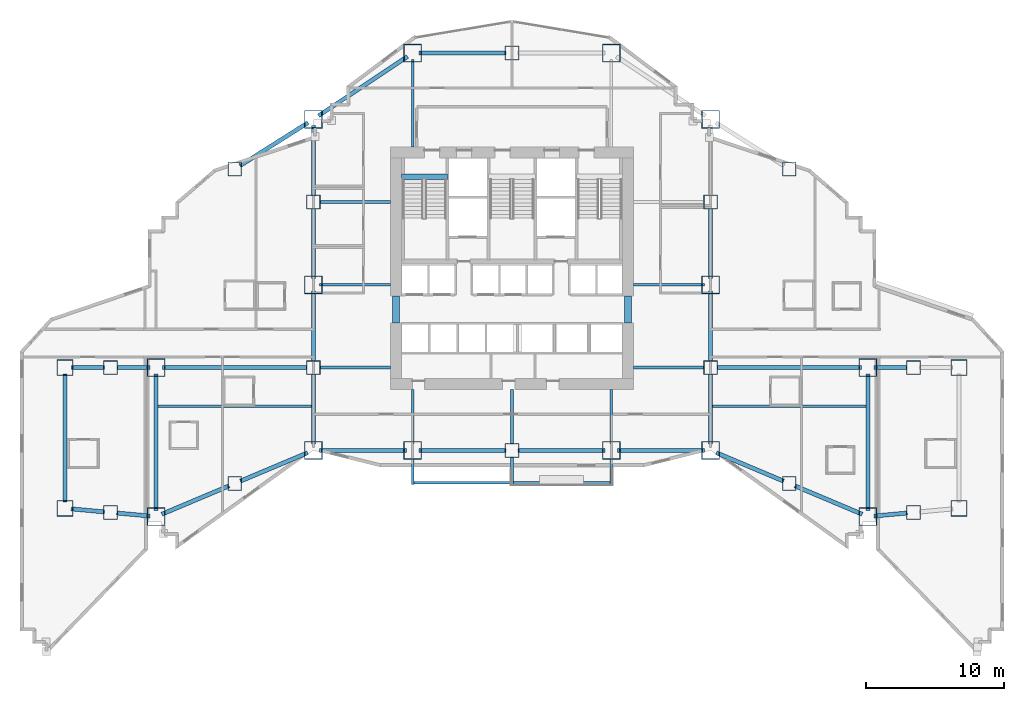
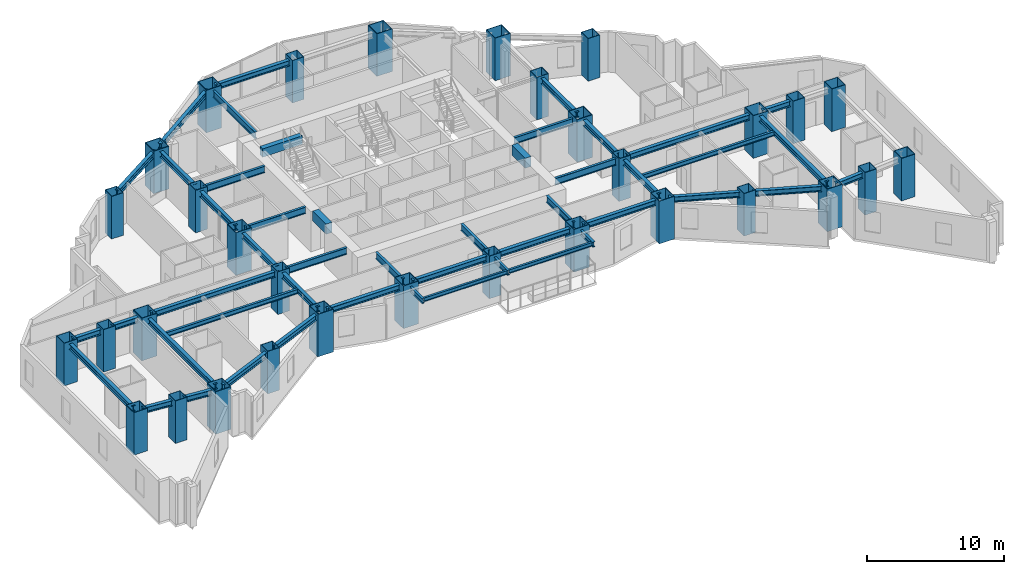
# One storey, part 1 of 17: 48 beams, 32 columns.
"""IFC4 building model written with IfcOpenShell, lengths in metres."""

from ifc_helpers import new_model, si_unit, direction, frame, origin, origin_2d, place, context, subcontext, project, spatial, rectangle, hollow_rectangle, i_section, extrude, material, material_profile, profile_set, type_object, element, save


model = new_model("IFC4")

# Units and contexts
model_context = context("Model", 3, precision=1e-05, world=origin(), true_north=direction((0.0, 1.0)))
body_context = subcontext(model_context, "Body", "Model", "MODEL_VIEW")
ifc_project = project(units=[si_unit("LENGTHUNIT", "METRE"), si_unit("AREAUNIT", "SQUARE_METRE"), si_unit("VOLUMEUNIT", "CUBIC_METRE"), si_unit("PLANEANGLEUNIT", "RADIAN"), si_unit("MASSUNIT", "GRAM", prefix="KILO")], contexts=[model_context])

# Site, building, storey
site_placement = place(None, origin())
site = spatial("IfcSite", under=ifc_project, at=site_placement, CompositionType="ELEMENT")
building_placement = place(site_placement, origin())
building = spatial("IfcBuilding", under=site, at=building_placement, Name="Haolan Belvedere Tower", CompositionType="ELEMENT")
storey_placement = place(building_placement, frame((0.0, 0.0, 35.39990234375)))
storey = spatial("IfcBuildingStorey", under=building, at=storey_placement, Name="L08", CompositionType="ELEMENT", Elevation=35.39990234375)

# Columns
ifc_material_1 = material(Name="Steel Q420GJC", Category="steel")
ifc_material_profile_1 = material_profile(ifc_material_1, hollow_rectangle(XDim=1.0, YDim=1.0, WallThickness=0.0380859375, at=origin_2d()), Name="Steel Q420GJC")
ifc_profile_set_1 = profile_set([ifc_material_profile_1], Name="Steel Q420GJC")
column_type_1 = type_object("IfcColumnType", Name="COL-BOX1000x1000x38", PredefinedType="COLUMN", material=ifc_profile_set_1)
for number, where, z_axis, x_axis, name in (
    (1, (24.0, 27.60009765625, 0.0), (0.0, 0.0, 1.0), (1.0, 0.0, 0.0), "L08 column TC-T3-W1 (BOX1000x1000x38)"),
    (2, (24.0, 39.60009765625, 0.0), (0.0, 0.0, 1.0), (1.0, 0.0, 0.0), "L08 column TC-T3-W2 (BOX1000x1000x38)"),
    (3, (52.800048828125, 27.60009765625, 0.0), (0.0, 0.0, 1.0), (1.0, 0.0, 0.0), "L08 column TC-T3-E1 (BOX1000x1000x38)"),
    (4, (52.800048828125, 39.60009765625, 0.0), (0.0, 0.0, 1.0), (1.0, 0.0, 0.0), "L08 column TC-T3-E2 (BOX1000x1000x38)"),
    (5, (38.39990234375, 21.60009765625, 0.0), (0.0, 0.0, 1.0), (1.0, 0.0, 0.0), "L08 column TC-T3-SM (BOX1000x1000x38)"),
    (6, (38.39990234375, 50.39990234375, 0.0), (0.0, 0.0, 1.0), (1.0, 0.0, 0.0), "L08 column TC-T3-NM (BOX1000x1000x38)"),
    (7, (18.300048828125, 19.199951171875, 0.0), (0.0, 0.0, 1.0), (1.0, 0.0, 0.0), "L08 column TC-T2-S1 (BOX1000x1000x38)"),
    (8, (18.300048828125, 42.0, 0.0), (0.0, 0.0, 1.0), (1.0, 0.0, 0.0), "L08 column TC-T2-N1 (BOX1000x1000x38)"),
    (9, (58.5, 19.199951171875, 0.0), (0.0, 0.0, 1.0), (1.0, 0.0, 0.0), "L08 column TC-T4-S1 (BOX1000x1000x38)"),
    (10, (58.5, 42.0, 0.0), (0.0, 0.0, 1.0), (1.0, 0.0, 0.0), "L08 column TC-T4-N1 (BOX1000x1000x38)"),
    (11, (9.300048828125, 17.10009765625, 0.0), (0.0, 0.0, 1.0), (1.0, 0.0, 0.0), "L08 column TC-T1-M1 (BOX1000x1000x38)"),
    (12, (9.300048828125, 27.60009765625, 0.0), (0.0, 0.0, 1.0), (1.0, 0.0, 0.0), "L08 column TC-T1-M2 (BOX1000x1000x38)"),
    (13, (67.5, 17.10009765625, 0.0), (0.0, 0.0, 1.0), (1.0, 0.0, 0.0), "L08 column TC-T5-M1 (BOX1000x1000x38)"),
    (14, (67.5, 27.60009765625, 0.0), (0.0, 0.0, 1.0), (1.0, 0.0, 0.0), "L08 column TC-T5-M2 (BOX1000x1000x38)"),
):
    element("IfcColumn", number, at=place(storey_placement, frame(where, z_axis=z_axis, x_axis=x_axis)), inside=storey, type_object=column_type_1, Name=name, PredefinedType="COLUMN", context=body_context, shape_type="SweptSolid", body=[
        extrude(hollow_rectangle(XDim=1.0, YDim=1.0, WallThickness=0.0380859375, at=origin_2d()), origin(), (0.0, 0.0, 1.0), 3.800048828125),
    ])
ifc_material_2 = material(Name="Steel Q355B", Category="steel")
ifc_material_profile_2 = material_profile(ifc_material_2, hollow_rectangle(XDim=1.14990234375, YDim=1.14990234375, WallThickness=0.0419921875, at=origin_2d()), Name="Steel Q355B")
ifc_profile_set_2 = profile_set([ifc_material_profile_2], Name="Steel Q355B")
column_type_2 = type_object("IfcColumnType", Name="COL-BOX1150x1150x42", PredefinedType="COLUMN", material=ifc_profile_set_2)
for number, where, z_axis, x_axis, name in (
    (15, (6.0, 17.39990234375, 0.0), (0.0, 0.0, 1.0), (1.0, 0.0, 0.0), "L08 column MC-T1-SW (BOX1150x1150x42)"),
    (16, (6.0, 27.60009765625, 0.0), (0.0, 0.0, 1.0), (1.0, 0.0, 0.0), "L08 column MC-T1-NW (BOX1150x1150x42)"),
    (17, (70.800048828125, 17.39990234375, 0.0), (0.0, 0.0, 1.0), (1.0, 0.0, 0.0), "L08 column MC-T5-SE (BOX1150x1150x42)"),
    (18, (70.800048828125, 27.60009765625, 0.0), (0.0, 0.0, 1.0), (1.0, 0.0, 0.0), "L08 column MC-T5-NE (BOX1150x1150x42)"),
):
    element("IfcColumn", number, at=place(storey_placement, frame(where, z_axis=z_axis, x_axis=x_axis)), inside=storey, type_object=column_type_2, Name=name, PredefinedType="COLUMN", context=body_context, shape_type="SweptSolid", body=[
        extrude(hollow_rectangle(XDim=1.14990234375, YDim=1.14990234375, WallThickness=0.0419921875, at=origin_2d()), origin(), (0.0, 0.0, 1.0), 3.800048828125),
    ])
ifc_material_profile_3 = material_profile(ifc_material_2, hollow_rectangle(XDim=1.300048828125, YDim=1.300048828125, WallThickness=0.048095703125, at=origin_2d()), Name="Steel Q355B")
ifc_profile_set_3 = profile_set([ifc_material_profile_3], Name="Steel Q355B")
column_type_3 = type_object("IfcColumnType", Name="COL-BOX1300x1300x48", PredefinedType="COLUMN", material=ifc_profile_set_3)
for number, where, z_axis, x_axis, name in (
    (19, (24.0, 21.60009765625, 0.0), (0.0, 0.0, 1.0), (1.0, 0.0, 0.0), "L08 column MC-T3-SW (BOX1300x1300x48)"),
    (20, (24.0, 33.60009765625, 0.0), (0.0, 0.0, 1.0), (1.0, 0.0, 0.0), "L08 column MC-T3-MW (BOX1300x1300x48)"),
    (21, (24.0, 45.60009765625, 0.0), (0.0, 0.0, 1.0), (1.0, 0.0, 0.0), "L08 column MC-T3-NW (BOX1300x1300x48)"),
    (22, (52.800048828125, 21.60009765625, 0.0), (0.0, 0.0, 1.0), (1.0, 0.0, 0.0), "L08 column MC-T3-SE (BOX1300x1300x48)"),
    (23, (52.800048828125, 33.60009765625, 0.0), (0.0, 0.0, 1.0), (1.0, 0.0, 0.0), "L08 column MC-T3-ME (BOX1300x1300x48)"),
    (24, (52.800048828125, 45.60009765625, 0.0), (0.0, 0.0, 1.0), (1.0, 0.0, 0.0), "L08 column MC-T3-NE (BOX1300x1300x48)"),
    (25, (31.199951171875, 21.60009765625, 0.0), (0.0, 0.0, 1.0), (1.0, 0.0, 0.0), "L08 column MC-T3-S1 (BOX1300x1300x48)"),
    (26, (45.60009765625, 21.60009765625, 0.0), (0.0, 0.0, 1.0), (1.0, 0.0, 0.0), "L08 column MC-T3-S2 (BOX1300x1300x48)"),
    (27, (31.199951171875, 50.39990234375, 0.0), (0.0, 0.0, 1.0), (1.0, 0.0, 0.0), "L08 column MC-T3-N1 (BOX1300x1300x48)"),
    (28, (45.60009765625, 50.39990234375, 0.0), (0.0, 0.0, 1.0), (1.0, 0.0, 0.0), "L08 column MC-T3-N2 (BOX1300x1300x48)"),
    (29, (12.60009765625, 16.800048828125, 0.0), (0.0, 0.0, 1.0), (1.0, 0.0, 0.0), "L08 column MC-T2-SW (BOX1300x1300x48)"),
    (30, (12.60009765625, 27.60009765625, 0.0), (0.0, 0.0, 1.0), (1.0, 0.0, 0.0), "L08 column MC-T2-MW (BOX1300x1300x48)"),
    (31, (64.199951171875, 16.800048828125, 0.0), (0.0, 0.0, 1.0), (1.0, 0.0, 0.0), "L08 column MC-T4-SE (BOX1300x1300x48)"),
    (32, (64.199951171875, 27.60009765625, 0.0), (0.0, 0.0, 1.0), (1.0, 0.0, 0.0), "L08 column MC-T4-ME (BOX1300x1300x48)"),
):
    element("IfcColumn", number, at=place(storey_placement, frame(where, z_axis=z_axis, x_axis=x_axis)), inside=storey, type_object=column_type_3, Name=name, PredefinedType="COLUMN", context=body_context, shape_type="SweptSolid", body=[
        extrude(hollow_rectangle(XDim=1.300048828125, YDim=1.300048828125, WallThickness=0.048095703125, at=origin_2d()), origin(), (0.0, 0.0, 1.0), 3.800048828125),
    ])

# Beams
ifc_material_profile_4 = material_profile(ifc_material_2, i_section(OverallWidth=0.300048828125, OverallDepth=0.488037109375, WebThickness=0.010986328125, FlangeThickness=0.01806640625, FilletRadius=0.02587890625, at=origin_2d()), Name="Steel Q355B")
ifc_profile_set_4 = profile_set([ifc_material_profile_4], Name="Steel Q355B")
beam_type_1 = type_object("IfcBeamType", Name="BM-HM488x300x11x18", PredefinedType="SPANDREL", material=ifc_profile_set_4)
for number, where, z_axis, x_axis, name in (
    (33, (24.0, 22.050048828125, 3.356201171875), (0.0, 1.0, 0.0), (-1.0, 0.0, 0.0), "L08 spandrel girder MC-T3-SW-TC-T3-W1"),
    (34, (24.0, 28.050048828125, 3.356201171875), (0.0, 1.0, 0.0), (-1.0, 0.0, 0.0), "L08 spandrel girder TC-T3-W1-MC-T3-MW"),
    (35, (24.0, 34.050048828125, 3.356201171875), (0.0, 1.0, 0.0), (-1.0, 0.0, 0.0), "L08 spandrel girder MC-T3-MW-TC-T3-W2"),
    (36, (24.0, 40.050048828125, 3.356201171875), (0.0, 1.0, 0.0), (-1.0, 0.0, 0.0), "L08 spandrel girder TC-T3-W2-MC-T3-NW"),
    (37, (52.800048828125, 22.050048828125, 3.356201171875), (0.0, 1.0, 0.0), (-1.0, 0.0, 0.0), "L08 spandrel girder MC-T3-SE-TC-T3-E1"),
    (38, (52.800048828125, 28.050048828125, 3.356201171875), (0.0, 1.0, 0.0), (-1.0, 0.0, 0.0), "L08 spandrel girder TC-T3-E1-MC-T3-ME"),
    (39, (52.800048828125, 34.050048828125, 3.356201171875), (0.0, 1.0, 0.0), (-1.0, 0.0, 0.0), "L08 spandrel girder MC-T3-ME-TC-T3-E2"),
):
    element("IfcBeam", number, at=place(storey_placement, frame(where, z_axis=z_axis, x_axis=x_axis)), inside=storey, type_object=beam_type_1, Name=name, PredefinedType="SPANDREL", context=body_context, shape_type="SweptSolid", body=[
        extrude(i_section(OverallWidth=0.300048828125, OverallDepth=0.488037109375, WebThickness=0.010986328125, FlangeThickness=0.01806640625, FilletRadius=0.02587890625, at=origin_2d()), origin(), (0.0, 0.0, 1.0), 5.099853515625),
    ])
for number, where, z_axis, x_axis, name in (
    (40, (24.449951171875, 21.60009765625, 3.356201171875), (1.0, 0.0, 0.0), (0.0, 1.0, 0.0), "L08 spandrel girder MC-T3-SW-MC-T3-S1"),
    (41, (31.64990234375, 21.60009765625, 3.356201171875), (1.0, 0.0, 0.0), (0.0, 1.0, 0.0), "L08 spandrel girder MC-T3-S1-TC-T3-SM"),
):
    element("IfcBeam", number, at=place(storey_placement, frame(where, z_axis=z_axis, x_axis=x_axis)), inside=storey, type_object=beam_type_1, Name=name, PredefinedType="SPANDREL", context=body_context, shape_type="SweptSolid", body=[
        extrude(i_section(OverallWidth=0.300048828125, OverallDepth=0.488037109375, WebThickness=0.010986328125, FlangeThickness=0.01806640625, FilletRadius=0.02587890625, at=origin_2d()), origin(), (0.0, 0.0, 1.0), 6.300048828125),
    ])
beam_1_placement = place(storey_placement, frame((38.85009765625, 21.60009765625, 3.356201171875), z_axis=(1.0, 0.0, 0.0), x_axis=(0.0, 1.0, 0.0)))
element("IfcBeam", 42, at=beam_1_placement, inside=storey, type_object=beam_type_1, Name="L08 spandrel girder TC-T3-SM-MC-T3-S2", PredefinedType="SPANDREL", context=body_context, shape_type="SweptSolid", body=[
    extrude(i_section(OverallWidth=0.300048828125, OverallDepth=0.488037109375, WebThickness=0.010986328125, FlangeThickness=0.01806640625, FilletRadius=0.02587890625, at=origin_2d()), origin(), (0.0, 0.0, 1.0), 6.2998046875),
])
beam_2_placement = place(storey_placement, frame((46.050048828125, 21.60009765625, 3.356201171875), z_axis=(1.0, 0.0, 0.0), x_axis=(0.0, 1.0, 0.0)))
element("IfcBeam", 43, at=beam_2_placement, inside=storey, type_object=beam_type_1, Name="L08 spandrel girder MC-T3-S2-MC-T3-SE", PredefinedType="SPANDREL", context=body_context, shape_type="SweptSolid", body=[
    extrude(i_section(OverallWidth=0.300048828125, OverallDepth=0.488037109375, WebThickness=0.010986328125, FlangeThickness=0.01806640625, FilletRadius=0.02587890625, at=origin_2d()), origin(), (0.0, 0.0, 1.0), 6.300048828125),
])
beam_3_placement = place(storey_placement, frame((24.37451171875, 45.849609375, 3.356201171875), z_axis=(0.832050294338, 0.554700196225, 0.0), x_axis=(-0.554700196225, 0.832050294338, 0.0)))
element("IfcBeam", 44, at=beam_3_placement, inside=storey, type_object=beam_type_1, Name="L08 spandrel girder MC-T3-NW-MC-T3-N1", PredefinedType="SPANDREL", context=body_context, shape_type="SweptSolid", body=[
    extrude(i_section(OverallWidth=0.300048828125, OverallDepth=0.488037109375, WebThickness=0.010986328125, FlangeThickness=0.01806640625, FilletRadius=0.02587890625, at=origin_2d()), origin(), (0.0, 0.0, 1.0), 7.75341796875),
])
beam_4_placement = place(storey_placement, frame((31.64990234375, 50.39990234375, 3.356201171875), z_axis=(1.0, 0.0, 0.0), x_axis=(0.0, 1.0, 0.0)))
element("IfcBeam", 45, at=beam_4_placement, inside=storey, type_object=beam_type_1, Name="L08 spandrel girder MC-T3-N1-TC-T3-NM", PredefinedType="SPANDREL", context=body_context, shape_type="SweptSolid", body=[
    extrude(i_section(OverallWidth=0.300048828125, OverallDepth=0.488037109375, WebThickness=0.010986328125, FlangeThickness=0.01806640625, FilletRadius=0.02587890625, at=origin_2d()), origin(), (0.0, 0.0, 1.0), 6.300048828125),
])
beam_5_placement = place(storey_placement, frame((12.60009765625, 17.25, 3.356201171875), z_axis=(0.0, 1.0, 0.0), x_axis=(-1.0, 0.0, 0.0)))
element("IfcBeam", 46, at=beam_5_placement, inside=storey, type_object=beam_type_1, Name="L08 spandrel girder MC-T2-SW-MC-T2-MW", PredefinedType="SPANDREL", context=body_context, shape_type="SweptSolid", body=[
    extrude(i_section(OverallWidth=0.300048828125, OverallDepth=0.488037109375, WebThickness=0.010986328125, FlangeThickness=0.01806640625, FilletRadius=0.02587890625, at=origin_2d()), origin(), (0.0, 0.0, 1.0), 9.89990234375),
])
beam_6_placement = place(storey_placement, frame((13.0146484375, 16.974609375, 3.356201171875), z_axis=(0.921635375138, 0.388057000058, 0.0), x_axis=(-0.388057000058, 0.921635375138, 0.0)))
element("IfcBeam", 47, at=beam_6_placement, inside=storey, type_object=beam_type_1, Name="L08 spandrel girder MC-T2-SW-TC-T2-S1", PredefinedType="SPANDREL", context=body_context, shape_type="SweptSolid", body=[
    extrude(i_section(OverallWidth=0.300048828125, OverallDepth=0.488037109375, WebThickness=0.010986328125, FlangeThickness=0.01806640625, FilletRadius=0.02587890625, at=origin_2d()), origin(), (0.0, 0.0, 1.0), 5.28466796875),
])
beam_7_placement = place(storey_placement, frame((18.71484375, 19.37451171875, 3.356201171875), z_axis=(0.92162841793, 0.388073523014, 0.0), x_axis=(-0.388073523014, 0.92162841793, 0.0)))
element("IfcBeam", 48, at=beam_7_placement, inside=storey, type_object=beam_type_1, Name="L08 spandrel girder TC-T2-S1-MC-T3-SW", PredefinedType="SPANDREL", context=body_context, shape_type="SweptSolid", body=[
    extrude(i_section(OverallWidth=0.300048828125, OverallDepth=0.488037109375, WebThickness=0.010986328125, FlangeThickness=0.01806640625, FilletRadius=0.02587890625, at=origin_2d()), origin(), (0.0, 0.0, 1.0), 5.284423828125),
])
beam_8_placement = place(storey_placement, frame((18.680419921875, 42.240234375, 3.356201171875), z_axis=(0.845497840649, 0.533978839898, 0.0), x_axis=(-0.533978839898, 0.845497840649, 0.0)))
element("IfcBeam", 49, at=beam_8_placement, inside=storey, type_object=beam_type_1, Name="L08 spandrel girder TC-T2-N1-MC-T3-NW", PredefinedType="SPANDREL", context=body_context, shape_type="SweptSolid", body=[
    extrude(i_section(OverallWidth=0.300048828125, OverallDepth=0.488037109375, WebThickness=0.010986328125, FlangeThickness=0.01806640625, FilletRadius=0.02587890625, at=origin_2d()), origin(), (0.0, 0.0, 1.0), 5.841796875),
])
beam_9_placement = place(storey_placement, frame((13.050048828125, 27.60009765625, 3.356201171875), z_axis=(1.0, 0.0, 0.0), x_axis=(0.0, 1.0, 0.0)))
element("IfcBeam", 50, at=beam_9_placement, inside=storey, type_object=beam_type_1, Name="L08 spandrel girder MC-T2-MW-TC-T3-W1", PredefinedType="SPANDREL", context=body_context, shape_type="SweptSolid", body=[
    extrude(i_section(OverallWidth=0.300048828125, OverallDepth=0.488037109375, WebThickness=0.010986328125, FlangeThickness=0.01806640625, FilletRadius=0.02587890625, at=origin_2d()), origin(), (0.0, 0.0, 1.0), 10.5),
])
beam_10_placement = place(storey_placement, frame((64.199951171875, 17.25, 3.356201171875), z_axis=(0.0, 1.0, 0.0), x_axis=(-1.0, 0.0, 0.0)))
element("IfcBeam", 51, at=beam_10_placement, inside=storey, type_object=beam_type_1, Name="L08 spandrel girder MC-T4-SE-MC-T4-ME", PredefinedType="SPANDREL", context=body_context, shape_type="SweptSolid", body=[
    extrude(i_section(OverallWidth=0.300048828125, OverallDepth=0.488037109375, WebThickness=0.010986328125, FlangeThickness=0.01806640625, FilletRadius=0.02587890625, at=origin_2d()), origin(), (0.0, 0.0, 1.0), 9.89990234375),
])
for number, where, z_axis, x_axis, name in (
    (52, (53.21484375, 21.42529296875, 3.356201171875), (0.92162841793, -0.388073523014, 0.0), (0.388073523014, 0.92162841793, 0.0), "L08 spandrel girder MC-T3-SE-TC-T4-S1"),
    (53, (58.914794921875, 19.025390625, 3.356201171875), (0.92162841793, -0.388073523014, 0.0), (0.388073523014, 0.92162841793, 0.0), "L08 spandrel girder TC-T4-S1-MC-T4-SE"),
):
    element("IfcBeam", number, at=place(storey_placement, frame(where, z_axis=z_axis, x_axis=x_axis)), inside=storey, type_object=beam_type_1, Name=name, PredefinedType="SPANDREL", context=body_context, shape_type="SweptSolid", body=[
        extrude(i_section(OverallWidth=0.300048828125, OverallDepth=0.488037109375, WebThickness=0.010986328125, FlangeThickness=0.01806640625, FilletRadius=0.02587890625, at=origin_2d()), origin(), (0.0, 0.0, 1.0), 5.284423828125),
    ])
beam_11_placement = place(storey_placement, frame((53.25, 27.60009765625, 3.356201171875), z_axis=(1.0, 0.0, 0.0), x_axis=(0.0, 1.0, 0.0)))
element("IfcBeam", 54, at=beam_11_placement, inside=storey, type_object=beam_type_1, Name="L08 spandrel girder TC-T3-E1-MC-T4-ME", PredefinedType="SPANDREL", context=body_context, shape_type="SweptSolid", body=[
    extrude(i_section(OverallWidth=0.300048828125, OverallDepth=0.488037109375, WebThickness=0.010986328125, FlangeThickness=0.01806640625, FilletRadius=0.02587890625, at=origin_2d()), origin(), (0.0, 0.0, 1.0), 10.5),
])
beam_12_placement = place(storey_placement, frame((6.0, 17.85009765625, 3.356201171875), z_axis=(0.0, 1.0, 0.0), x_axis=(-1.0, 0.0, 0.0)))
element("IfcBeam", 55, at=beam_12_placement, inside=storey, type_object=beam_type_1, Name="L08 spandrel girder MC-T1-SW-MC-T1-NW", PredefinedType="SPANDREL", context=body_context, shape_type="SweptSolid", body=[
    extrude(i_section(OverallWidth=0.300048828125, OverallDepth=0.488037109375, WebThickness=0.010986328125, FlangeThickness=0.01806640625, FilletRadius=0.02587890625, at=origin_2d()), origin(), (0.0, 0.0, 1.0), 9.2998046875),
])
beam_13_placement = place(storey_placement, frame((6.4482421875, 17.359375, 3.356201171875), z_axis=(0.995884080761, -0.090636072764, 0.0), x_axis=(0.090636072764, 0.995884080761, 0.0)))
element("IfcBeam", 56, at=beam_13_placement, inside=storey, type_object=beam_type_1, Name="L08 spandrel girder MC-T1-SW-TC-T1-M1", PredefinedType="SPANDREL", context=body_context, shape_type="SweptSolid", body=[
    extrude(i_section(OverallWidth=0.300048828125, OverallDepth=0.488037109375, WebThickness=0.010986328125, FlangeThickness=0.01806640625, FilletRadius=0.02587890625, at=origin_2d()), origin(), (0.0, 0.0, 1.0), 2.41357421875),
])
beam_14_placement = place(storey_placement, frame((9.748046875, 17.059326171875, 3.356201171875), z_axis=(0.9958940355, -0.090526626221, 0.0), x_axis=(0.090526626221, 0.9958940355, 0.0)))
element("IfcBeam", 57, at=beam_14_placement, inside=storey, type_object=beam_type_1, Name="L08 spandrel girder TC-T1-M1-MC-T2-SW", PredefinedType="SPANDREL", context=body_context, shape_type="SweptSolid", body=[
    extrude(i_section(OverallWidth=0.300048828125, OverallDepth=0.488037109375, WebThickness=0.010986328125, FlangeThickness=0.01806640625, FilletRadius=0.02587890625, at=origin_2d()), origin(), (0.0, 0.0, 1.0), 2.413818359375),
])
beam_15_placement = place(storey_placement, frame((6.449951171875, 27.60009765625, 3.356201171875), z_axis=(1.0, 0.0, 0.0), x_axis=(0.0, 1.0, 0.0)))
element("IfcBeam", 58, at=beam_15_placement, inside=storey, type_object=beam_type_1, Name="L08 spandrel girder MC-T1-NW-TC-T1-M2", PredefinedType="SPANDREL", context=body_context, shape_type="SweptSolid", body=[
    extrude(i_section(OverallWidth=0.300048828125, OverallDepth=0.488037109375, WebThickness=0.010986328125, FlangeThickness=0.01806640625, FilletRadius=0.02587890625, at=origin_2d()), origin(), (0.0, 0.0, 1.0), 2.400146484375),
])
beam_16_placement = place(storey_placement, frame((9.75, 27.60009765625, 3.356201171875), z_axis=(1.0, 0.0, 0.0), x_axis=(0.0, 1.0, 0.0)))
element("IfcBeam", 59, at=beam_16_placement, inside=storey, type_object=beam_type_1, Name="L08 spandrel girder TC-T1-M2-MC-T2-MW", PredefinedType="SPANDREL", context=body_context, shape_type="SweptSolid", body=[
    extrude(i_section(OverallWidth=0.300048828125, OverallDepth=0.488037109375, WebThickness=0.010986328125, FlangeThickness=0.01806640625, FilletRadius=0.02587890625, at=origin_2d()), origin(), (0.0, 0.0, 1.0), 2.39990234375),
])
beam_17_placement = place(storey_placement, frame((64.648193359375, 16.8408203125, 3.356201171875), z_axis=(0.995893206468, 0.090535746043, 0.0), x_axis=(-0.090535746043, 0.995893206468, 0.0)))
element("IfcBeam", 60, at=beam_17_placement, inside=storey, type_object=beam_type_1, Name="L08 spandrel girder MC-T4-SE-TC-T5-M1", PredefinedType="SPANDREL", context=body_context, shape_type="SweptSolid", body=[
    extrude(i_section(OverallWidth=0.300048828125, OverallDepth=0.488037109375, WebThickness=0.010986328125, FlangeThickness=0.01806640625, FilletRadius=0.02587890625, at=origin_2d()), origin(), (0.0, 0.0, 1.0), 2.41357421875),
])
beam_18_placement = place(storey_placement, frame((64.64990234375, 27.60009765625, 3.356201171875), z_axis=(1.0, 0.0, 0.0), x_axis=(0.0, 1.0, 0.0)))
element("IfcBeam", 61, at=beam_18_placement, inside=storey, type_object=beam_type_1, Name="L08 spandrel girder MC-T4-ME-TC-T5-M2", PredefinedType="SPANDREL", context=body_context, shape_type="SweptSolid", body=[
    extrude(i_section(OverallWidth=0.300048828125, OverallDepth=0.488037109375, WebThickness=0.010986328125, FlangeThickness=0.01806640625, FilletRadius=0.02587890625, at=origin_2d()), origin(), (0.0, 0.0, 1.0), 2.400146484375),
])
ifc_material_profile_5 = material_profile(ifc_material_2, i_section(OverallWidth=0.175048828125, OverallDepth=0.35009765625, WebThickness=0.007080078125, FlangeThickness=0.010986328125, FilletRadius=0.012939453125, at=origin_2d()), Name="Steel Q355B")
ifc_profile_set_5 = profile_set([ifc_material_profile_5], Name="Steel Q355B")
beam_type_2 = type_object("IfcBeamType", Name="BM-HN350x175x7x11", PredefinedType="JOIST", material=ifc_profile_set_5)
for number, where, z_axis, x_axis, name in (
    (62, (31.300048828125, 19.239990234375, 3.39501953125), (1.0, 0.0, 0.0), (0.0, 1.0, 0.0), "L09 tree-balcony front trimmer beam 1"),
    (63, (38.5, 19.239990234375, 3.39501953125), (1.0, 0.0, 0.0), (0.0, 1.0, 0.0), "L09 tree-balcony front trimmer beam 2"),
):
    element("IfcBeam", number, at=place(storey_placement, frame(where, z_axis=z_axis, x_axis=x_axis)), inside=storey, type_object=beam_type_2, Name=name, PredefinedType="BEAM", context=body_context, shape_type="SweptSolid", body=[
        extrude(i_section(OverallWidth=0.175048828125, OverallDepth=0.35009765625, WebThickness=0.007080078125, FlangeThickness=0.010986328125, FilletRadius=0.012939453125, at=origin_2d()), origin(), (0.0, 0.0, 1.0), 7.0),
    ])
ifc_material_profile_6 = material_profile(ifc_material_2, i_section(OverallWidth=0.199951171875, OverallDepth=0.39990234375, WebThickness=0.008056640625, FlangeThickness=0.012939453125, FilletRadius=0.01611328125, at=origin_2d()), Name="Steel Q355B")
ifc_profile_set_6 = profile_set([ifc_material_profile_6], Name="Steel Q355B")
beam_type_3 = type_object("IfcBeamType", Name="BM-HN400x200x8x13", PredefinedType="JOIST", material=ifc_profile_set_6)
for number, where, z_axis, x_axis, name in (
    (64, (12.75, 24.800048828125, 3.400146484375), (1.0, 0.0, 0.0), (0.0, 1.0, 0.0), "L08 west wing floor joist 1"),
    (65, (52.949951171875, 24.800048828125, 3.400146484375), (1.0, 0.0, 0.0), (0.0, 1.0, 0.0), "L08 east wing floor joist 1"),
):
    element("IfcBeam", number, at=place(storey_placement, frame(where, z_axis=z_axis, x_axis=x_axis)), inside=storey, type_object=beam_type_3, Name=name, PredefinedType="JOIST", context=body_context, shape_type="SweptSolid", body=[
        extrude(i_section(OverallWidth=0.199951171875, OverallDepth=0.39990234375, WebThickness=0.008056640625, FlangeThickness=0.012939453125, FilletRadius=0.01611328125, at=origin_2d()), origin(), (0.0, 0.0, 1.0), 11.10009765625),
    ])
ifc_material_profile_7 = material_profile(ifc_material_2, i_section(OverallWidth=0.199951171875, OverallDepth=0.449951171875, WebThickness=0.009033203125, FlangeThickness=0.013916015625, FilletRadius=0.01611328125, at=origin_2d()), Name="Steel Q355B")
ifc_profile_set_7 = profile_set([ifc_material_profile_7], Name="Steel Q355B")
beam_type_4 = type_object("IfcBeamType", Name="BM-HN450x200x9x14", PredefinedType="BEAM", material=ifc_profile_set_7)
beam_19_placement = place(storey_placement, frame((31.199951171875, 20.949951171875, 3.34521484375), z_axis=(0.0, -1.0, 0.0), x_axis=(1.0, 0.0, 0.0)))
element("IfcBeam", 66, at=beam_19_placement, inside=storey, type_object=beam_type_4, Name="L09 tree-balcony column cantilever MC-T3-S1", PredefinedType="BEAM", context=body_context, shape_type="SweptSolid", body=[
    extrude(i_section(OverallWidth=0.199951171875, OverallDepth=0.449951171875, WebThickness=0.009033203125, FlangeThickness=0.013916015625, FilletRadius=0.01611328125, at=origin_2d()), origin(), (0.0, 0.0, 1.0), 1.81005859375),
])
beam_20_placement = place(storey_placement, frame((38.39990234375, 21.10009765625, 3.34521484375), z_axis=(0.0, -1.0, 0.0), x_axis=(1.0, 0.0, 0.0)))
element("IfcBeam", 67, at=beam_20_placement, inside=storey, type_object=beam_type_4, Name="L09 tree-balcony column cantilever TC-T3-SM", PredefinedType="BEAM", context=body_context, shape_type="SweptSolid", body=[
    extrude(i_section(OverallWidth=0.199951171875, OverallDepth=0.449951171875, WebThickness=0.009033203125, FlangeThickness=0.013916015625, FilletRadius=0.01611328125, at=origin_2d()), origin(), (0.0, 0.0, 1.0), 1.960205078125),
])
beam_21_placement = place(storey_placement, frame((45.60009765625, 20.949951171875, 3.34521484375), z_axis=(0.0, -1.0, 0.0), x_axis=(1.0, 0.0, 0.0)))
element("IfcBeam", 68, at=beam_21_placement, inside=storey, type_object=beam_type_4, Name="L09 tree-balcony column cantilever MC-T3-S2", PredefinedType="BEAM", context=body_context, shape_type="SweptSolid", body=[
    extrude(i_section(OverallWidth=0.199951171875, OverallDepth=0.449951171875, WebThickness=0.009033203125, FlangeThickness=0.013916015625, FilletRadius=0.01611328125, at=origin_2d()), origin(), (0.0, 0.0, 1.0), 1.81005859375),
])
ifc_material_profile_8 = material_profile(ifc_material_2, i_section(OverallWidth=0.199951171875, OverallDepth=0.60009765625, WebThickness=0.010986328125, FlangeThickness=0.01708984375, FilletRadius=0.02197265625, at=origin_2d()), Name="Steel Q355B")
ifc_profile_set_8 = profile_set([ifc_material_profile_8], Name="Steel Q355B")
beam_type_5 = type_object("IfcBeamType", Name="BM-HN600x200x11x17", PredefinedType="BEAM", material=ifc_profile_set_8)
for number, where, z_axis, x_axis, name in (
    (69, (24.449951171875, 33.60009765625, 3.300048828125), (1.0, 0.0, 0.0), (0.0, 1.0, 0.0), "L08 core tie beam from MC-T3-MW"),
    (70, (24.449951171875, 27.60009765625, 3.300048828125), (1.0, 0.0, 0.0), (0.0, 1.0, 0.0), "L08 core tie beam from TC-T3-W1"),
    (71, (24.449951171875, 39.60009765625, 3.300048828125), (1.0, 0.0, 0.0), (0.0, 1.0, 0.0), "L08 core tie beam from TC-T3-W2"),
    (72, (52.35009765625, 33.60009765625, 3.300048828125), (-1.0, 0.0, 0.0), (0.0, -1.0, 0.0), "L08 core tie beam from MC-T3-ME"),
    (73, (52.35009765625, 27.60009765625, 3.300048828125), (-1.0, 0.0, 0.0), (0.0, -1.0, 0.0), "L08 core tie beam from TC-T3-E1"),
):
    element("IfcBeam", number, at=place(storey_placement, frame(where, z_axis=z_axis, x_axis=x_axis)), inside=storey, type_object=beam_type_5, Name=name, PredefinedType="BEAM", context=body_context, shape_type="SweptSolid", body=[
        extrude(i_section(OverallWidth=0.199951171875, OverallDepth=0.60009765625, WebThickness=0.010986328125, FlangeThickness=0.01708984375, FilletRadius=0.02197265625, at=origin_2d()), origin(), (0.0, 0.0, 1.0), 5.150146484375),
    ])
for number, where, z_axis, x_axis, name in (
    (74, (31.199951171875, 22.050048828125, 3.300048828125), (0.0, 1.0, 0.0), (-1.0, 0.0, 0.0), "L08 core tie beam from MC-T3-S1"),
    (75, (38.39990234375, 22.050048828125, 3.300048828125), (0.0, 1.0, 0.0), (-1.0, 0.0, 0.0), "L08 core tie beam from TC-T3-SM"),
    (76, (45.60009765625, 22.050048828125, 3.300048828125), (0.0, 1.0, 0.0), (-1.0, 0.0, 0.0), "L08 core tie beam from MC-T3-S2"),
):
    element("IfcBeam", number, at=place(storey_placement, frame(where, z_axis=z_axis, x_axis=x_axis)), inside=storey, type_object=beam_type_5, Name=name, PredefinedType="BEAM", context=body_context, shape_type="SweptSolid", body=[
        extrude(i_section(OverallWidth=0.199951171875, OverallDepth=0.60009765625, WebThickness=0.010986328125, FlangeThickness=0.01708984375, FilletRadius=0.02197265625, at=origin_2d()), origin(), (0.0, 0.0, 1.0), 3.949951171875),
    ])
beam_22_placement = place(storey_placement, frame((31.199951171875, 49.949951171875, 3.300048828125), z_axis=(0.0, -1.0, 0.0), x_axis=(1.0, 0.0, 0.0)))
element("IfcBeam", 77, at=beam_22_placement, inside=storey, type_object=beam_type_5, Name="L08 core tie beam from MC-T3-N1", PredefinedType="BEAM", context=body_context, shape_type="SweptSolid", body=[
    extrude(i_section(OverallWidth=0.199951171875, OverallDepth=0.60009765625, WebThickness=0.010986328125, FlangeThickness=0.01708984375, FilletRadius=0.02197265625, at=origin_2d()), origin(), (0.0, 0.0, 1.0), 6.349853515625),
])
ifc_material_3 = material(Name="Concrete C50/60", Category="concrete")
ifc_material_profile_9 = material_profile(ifc_material_3, rectangle(XDim=0.39990234375, YDim=0.75, at=origin_2d()), Name="Concrete C50/60")
ifc_profile_set_9 = profile_set([ifc_material_profile_9], Name="Concrete C50/60")
beam_type_6 = type_object("IfcBeamType", Name="BM-RC400x750", PredefinedType="T_BEAM", material=ifc_profile_set_9)
beam_23_placement = place(storey_placement, frame((30.3798828125, 41.429931640625, 3.425048828125), z_axis=(1.0, 0.0, 0.0), x_axis=(0.0, 1.0, 0.0)))
element("IfcBeam", 78, at=beam_23_placement, inside=storey, type_object=beam_type_6, Name="L09 stair ST1 RC header trimmer beam", PredefinedType="BEAM", context=body_context, shape_type="SweptSolid", body=[
    extrude(rectangle(XDim=0.39990234375, YDim=0.75, at=origin_2d()), origin(), (0.0, 0.0, 1.0), 3.360107421875),
])
ifc_material_4 = material(Name="Concrete C60/75", Category="concrete")
ifc_material_profile_10 = material_profile(ifc_material_4, rectangle(XDim=0.5, YDim=0.89990234375, at=origin_2d()), Name="Concrete C60/75")
ifc_profile_set_10 = profile_set([ifc_material_profile_10], Name="Concrete C60/75")
beam_type_7 = type_object("IfcBeamType", Name="BM-RC500x900", PredefinedType="LINTEL", material=ifc_profile_set_10)
for number, where, z_axis, x_axis, name in (
    (79, (30.0, 30.85009765625, 3.150146484375), (0.0, 1.0, 0.0), (-1.0, 0.0, 0.0), "L08 west core coupling beam CB-01"),
    (80, (46.800048828125, 30.85009765625, 3.150146484375), (0.0, 1.0, 0.0), (-1.0, 0.0, 0.0), "L08 east core coupling beam CB-01"),
):
    element("IfcBeam", number, at=place(storey_placement, frame(where, z_axis=z_axis, x_axis=x_axis)), inside=storey, type_object=beam_type_7, Name=name, PredefinedType="LINTEL", context=body_context, shape_type="SweptSolid", body=[
        extrude(rectangle(XDim=0.5, YDim=0.89990234375, at=origin_2d()), origin(), (0.0, 0.0, 1.0), 1.949951171875),
    ])

save(model, "model.ifc")
